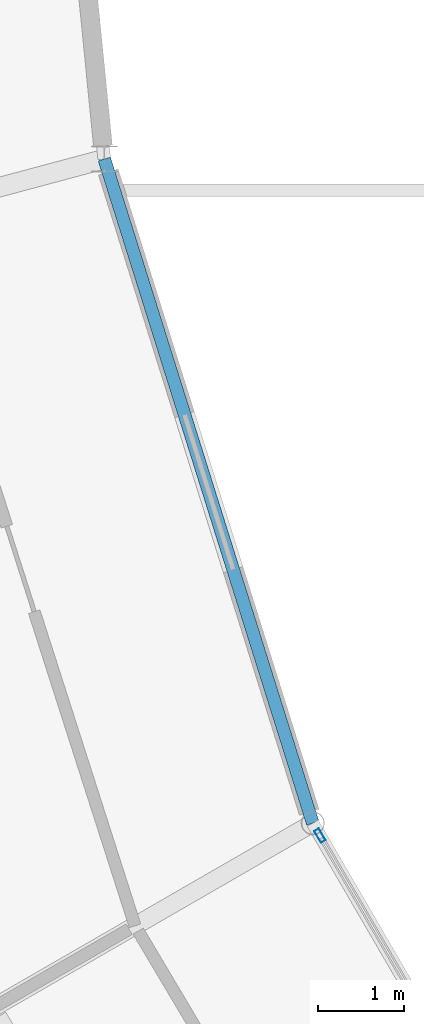
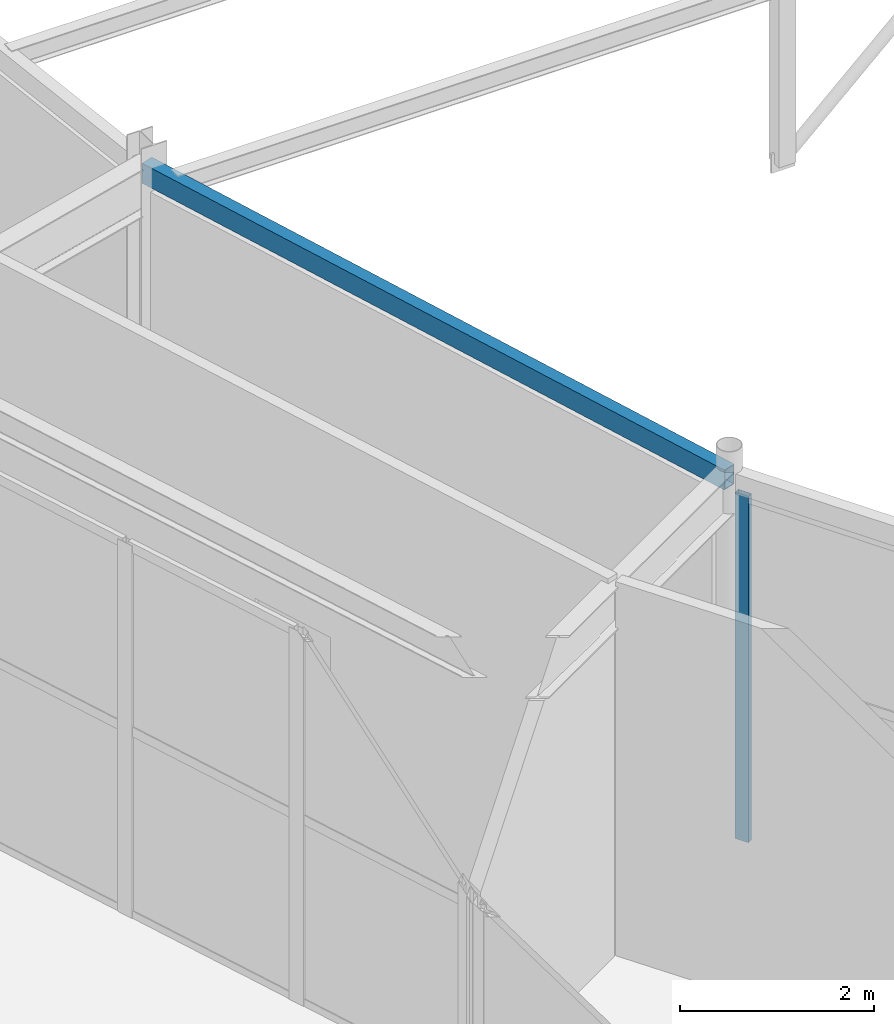
# One storey, part 42 of 144: 1 beam, 1 member, 1 element without a shape of its own.
"""IFC4 building model written with IfcOpenShell, lengths in metres."""

from ifc_helpers import new_model, si_unit, direction, frame, origin, origin_2d, place, context, subcontext, project, spatial, hollow_rectangle, extrude, material, material_profile, profile_set, type_object, element, aggregate, save


model = new_model("IFC4")

# Units and contexts
model_context = context("Model", 3, precision=1e-05, world=origin(), true_north=direction((0.0, 1.0)))
body_context = subcontext(model_context, "Body", "Model", "MODEL_VIEW")
ifc_project = project(units=[si_unit("LENGTHUNIT", "METRE"), si_unit("AREAUNIT", "SQUARE_METRE"), si_unit("VOLUMEUNIT", "CUBIC_METRE"), si_unit("PLANEANGLEUNIT", "RADIAN"), si_unit("MASSUNIT", "GRAM", prefix="KILO")], contexts=[model_context])

# Site, building, storey
site_placement = place(None, origin())
site = spatial("IfcSite", under=ifc_project, at=site_placement, CompositionType="ELEMENT")
building_placement = place(site_placement, origin())
building = spatial("IfcBuilding", under=site, at=building_placement, Name="Karori Crest Natural Sciences Institute", CompositionType="ELEMENT")
storey_placement = place(building_placement, origin())
storey = spatial("IfcBuildingStorey", under=building, at=storey_placement, Name="L00", CompositionType="ELEMENT", Elevation=0.0)

# Beam
ifc_material_1 = material(Name="Hollow structural steel AS/NZS 1163 Grade C350", Category="steel")
ifc_material_profile_1 = material_profile(ifc_material_1, hollow_rectangle(XDim=0.14990234375, YDim=0.25, WallThickness=0.009033203125, at=origin_2d()), Name="RHS250x150x9")
ifc_profile_set_1 = profile_set([ifc_material_profile_1], Name="Hollow structural steel AS/NZS 1163 Grade C350")
beam_type = type_object("IfcBeamType", Name="BT-16", PredefinedType="SPANDREL", material=ifc_profile_set_1)
beam_placement = place(storey_placement, frame((42.831298828125, 41.56591796875, 4.489990234375), z_axis=(0.299495880683, -0.954097593254, 0.0), x_axis=(0.954097593254, 0.299495880683, 0.0)))
element("IfcBeam", 1, at=beam_placement, inside=storey, type_object=beam_type, Name="Beam B-0139", PredefinedType="SPANDREL", context=body_context, shape_type="SweptSolid", body=[
    extrude(hollow_rectangle(XDim=0.14990234375, YDim=0.25, WallThickness=0.009033203125, at=origin_2d()), origin(), (0.0, 0.0, 1.0), 8.139404296875),
])

# Curtain wall, member
ifc_material_2 = material(Name="Anodised architectural aluminium 6063-T6", Category="aluminium")
curtain_wall_type = type_object("IfcCurtainWallType", Name="CWT-15", PredefinedType="NOTDEFINED", material=ifc_material_2)
curtain_wall_placement = place(storey_placement, origin())
curtain_wall = element("IfcCurtainWall", 2, at=curtain_wall_placement, inside=storey, type_object=curtain_wall_type, Name="Curtain wall CW-0019", PredefinedType="NOTDEFINED")
ifc_material_profile_2 = material_profile(ifc_material_2, hollow_rectangle(XDim=0.06494140625, YDim=0.159912109375, WallThickness=0.00390625, at=origin_2d()), Name="CWM160x65x4")
ifc_profile_set_2 = profile_set([ifc_material_profile_2], Name="Anodised architectural aluminium 6063-T6")
member_type = type_object("IfcMemberType", Name="CWM-01", PredefinedType="MULLION", material=ifc_profile_set_2)
member_placement = place(storey_placement, frame((45.35302734375, 33.655517578125, 0.0), z_axis=(0.0, 0.0, 1.0), x_axis=(0.864484379326, 0.502659683982, 0.0)))
member = element("IfcMember", 3, at=member_placement, type_object=member_type, Name="CW-0019 mullion 1", PredefinedType="MULLION", context=body_context, shape_type="SweptSolid", body=[
    extrude(hollow_rectangle(XDim=0.06494140625, YDim=0.159912109375, WallThickness=0.00390625, at=origin_2d()), origin(), (0.0, 0.0, 1.0), 4.35009765625),
])
aggregate(curtain_wall, [member])

save(model, "model.ifc")
